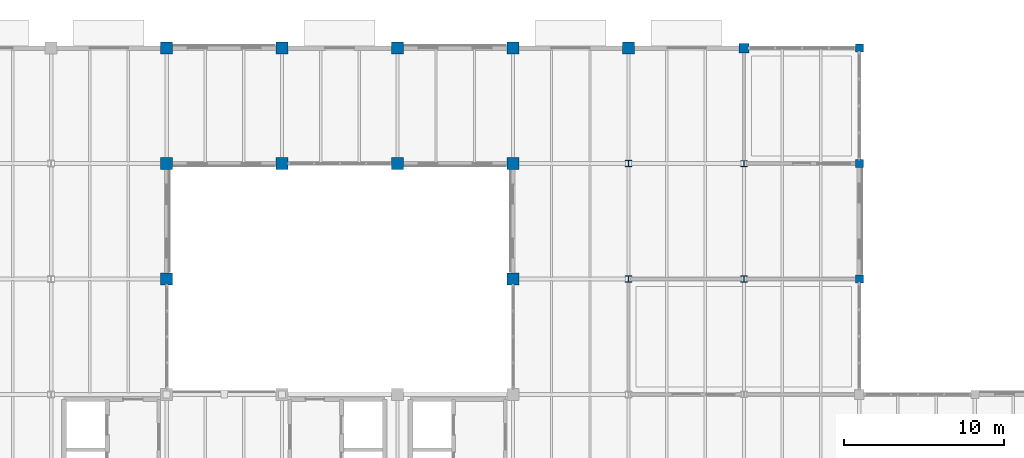
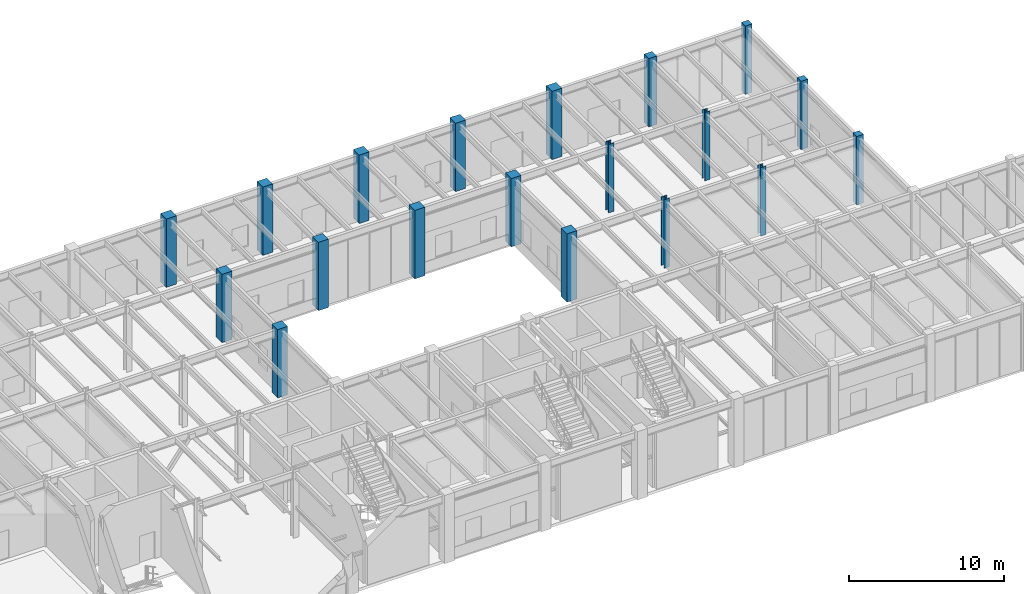
# One storey, part 14 of 97: 19 columns.
"""IFC4 building model written with IfcOpenShell, lengths in metres."""

import ifcopenshell
import ifcopenshell.guid

model = None  # the IFC model being written
_history = None  # IfcOwnerHistory: only IFC2X3 demands one
_inside = {}  # id of a spatial element -> (the spatial element, [elements in it])
_under = {}  # id of a project, library or spatial element -> (it, [spatial elements below it])
_declared = {}  # id of a project -> (the project, [libraries it declares])
_typed = {}  # id of a type object -> (the type object, [elements of that type])
_made_of = {}  # id of a material, layer set ... -> (it, [elements and type objects made of it])


def new_model(schema):
    """Start an empty IFC model of exactly this schema.

    Asked for "IFC4X3", IfcOpenShell would pick the latest addendum, in which some entities
    have other attributes; the version numbers below select the first issue.
    IFC2X3 requires an IfcOwnerHistory on every rooted entity: one is made here for all.
    """
    global model, _history
    if schema == "IFC4X3":
        model = ifcopenshell.file(schema_version=(4, 3, 0, 0))
    else:
        model = ifcopenshell.file(schema=schema)
    _inside.clear()
    _under.clear()
    _declared.clear()
    _typed.clear()
    _made_of.clear()
    _history = None
    if model.schema == "IFC2X3":
        org = make("IfcOrganization", Name="unknown")
        user = make(
            "IfcPersonAndOrganization",
            ThePerson=make("IfcPerson", FamilyName="unknown"),
            TheOrganization=org,
        )
        app = make(
            "IfcApplication",
            ApplicationDeveloper=org,
            Version="unknown",
            ApplicationFullName="unknown",
            ApplicationIdentifier="unknown",
        )
        _history = make(
            "IfcOwnerHistory",
            OwningUser=user,
            OwningApplication=app,
            ChangeAction="ADDED",
            CreationDate=0,
        )
    return model


def make(cls, **values):
    """One entity of the class cls with the attributes given. An attribute that is None is left unset."""
    return model.create_entity(
        cls, **{name: value for name, value in values.items() if value is not None}
    )


def rooted(cls, **values):
    """An entity with a GlobalId (a new one), such as an element, a storey or a relation."""
    return make(cls, GlobalId=ifcopenshell.guid.new(), OwnerHistory=_history, **values)


def si_unit(unit_type, name, prefix=None):
    """IfcSIUnit, for example si_unit("LENGTHUNIT", "METRE", prefix="MILLI")."""
    return make("IfcSIUnit", UnitType=unit_type, Prefix=prefix, Name=name)


def assignment(units):
    """IfcUnitAssignment: the units of a project."""
    return None if units is None else make("IfcUnitAssignment", Units=units)


def point(xyz):
    """IfcCartesianPoint."""
    return None if xyz is None else make("IfcCartesianPoint", Coordinates=xyz)


def direction(xyz):
    """IfcDirection."""
    return None if xyz is None else make("IfcDirection", DirectionRatios=xyz)


def frame(location, z_axis=None, x_axis=None):
    """IfcAxis2Placement3D, a coordinate frame: its origin and axes. An axis left out is left unset."""
    return make(
        "IfcAxis2Placement3D",
        Location=point(location),
        Axis=direction(z_axis),
        RefDirection=direction(x_axis),
    )


def frame_2d(location, x_axis=None):
    """IfcAxis2Placement2D, a coordinate frame in the plane: its origin and x axis."""
    return make(
        "IfcAxis2Placement2D", Location=point(location), RefDirection=direction(x_axis)
    )


def origin():
    """The frame at (0, 0, 0) with its axes left unset."""
    return frame((0.0, 0.0, 0.0))


def origin_2d():
    """The frame at (0, 0) in the plane with its x axis left unset."""
    return frame_2d((0.0, 0.0))


def place(relative_to, where):
    """IfcLocalPlacement: puts the frame where relative to a parent placement (None: the world)."""
    return make(
        "IfcLocalPlacement", PlacementRelTo=relative_to, RelativePlacement=where
    )


def context(
    kind, dimensions, precision=None, world=None, true_north=None, identifier=None
):
    """IfcGeometricRepresentationContext, for example the 3D "Model" context."""
    return make(
        "IfcGeometricRepresentationContext",
        ContextIdentifier=identifier,
        ContextType=kind,
        CoordinateSpaceDimension=dimensions,
        Precision=precision,
        WorldCoordinateSystem=world,
        TrueNorth=true_north,
    )


def subcontext(parent, identifier, kind, view, scale=None):
    """IfcGeometricRepresentationSubContext, for example "Body" below "Model"."""
    return make(
        "IfcGeometricRepresentationSubContext",
        ContextIdentifier=identifier,
        ContextType=kind,
        ParentContext=parent,
        TargetScale=scale,
        TargetView=view,
    )


def project(units=None, contexts=None):
    """IfcProject with its units and contexts."""
    return rooted(
        "IfcProject",
        Name="project",
        RepresentationContexts=contexts,
        UnitsInContext=assignment(units),
    )


def spatial(cls, under=None, at=None, **own):
    """A site, building, storey or space (cls), placed at a placement, below another one or the project."""
    s = rooted(cls, ObjectPlacement=at, **own)
    if under is not None:
        _under.setdefault(under.id(), (under, []))[1].append(s)
    return s


def profile(cls, at=None, kind="AREA", **sizes):
    """A parametric profile (cls). Its sizes go by their IFC names, for example OverallWidth=200.0."""
    return make(cls, ProfileType=kind, Position=at, **sizes)


def rectangle(**sizes):
    """IfcRectangleProfileDef."""
    return profile("IfcRectangleProfileDef", **sizes)


def i_section(**sizes):
    """IfcIShapeProfileDef."""
    return profile("IfcIShapeProfileDef", **sizes)


def extrude(swept, where, along, depth):
    """IfcExtrudedAreaSolid: the profile swept, set in the frame where, extruded along a direction by depth."""
    return make(
        "IfcExtrudedAreaSolid",
        SweptArea=swept,
        Position=where,
        ExtrudedDirection=direction(along),
        Depth=depth,
    )


def shape(context_of_items, identifier, shape_type, items):
    """IfcShapeRepresentation: the items that make up one representation, for example the "Body"."""
    return make(
        "IfcShapeRepresentation",
        ContextOfItems=context_of_items,
        RepresentationIdentifier=identifier,
        RepresentationType=shape_type,
        Items=items,
    )


def material(Name=None, Category=None):
    """IfcMaterial."""
    return make("IfcMaterial", Name=Name, Category=Category)


def material_profile(
    of_material, cross_section, Name=None, Category=None, Priority=None
):
    """IfcMaterialProfile: a cross section and its material."""
    return make(
        "IfcMaterialProfile",
        Name=Name,
        Material=of_material,
        Profile=cross_section,
        Priority=Priority,
        Category=Category,
    )


def profile_set(profiles, Name=None, composite=None):
    """IfcMaterialProfileSet."""
    return make(
        "IfcMaterialProfileSet",
        Name=Name,
        MaterialProfiles=profiles,
        CompositeProfile=composite,
    )


def made_of(thing, what):
    """Note that an element or type object is made of a material, layer set ...; save() writes the relation."""
    if what is not None:
        _made_of.setdefault(what.id(), (what, []))[1].append(thing)
    return thing


def type_object(cls, material=None, **own):
    """A type object (cls), such as IfcWallType, which elements share."""
    return made_of(rooted(cls, **own), material)


def element(
    cls,
    number,
    at=None,
    inside=None,
    cuts=None,
    type_object=None,
    material=None,
    context=None,
    identifier="Body",
    shape_type=None,
    held_by="IfcProductDefinitionShape",
    body=None,
    shapes=None,
    **own,
):
    """One element of the class cls, such as IfcWall. Its Tag is "e" and its number.

    at: its placement. inside: the storey or other place that contains it. cuts: it is an
    opening in that element (IfcRelVoidsElement). A single representation is given by context,
    identifier, shape_type and body (its items); several are given by shapes. held_by: the class
    of the entity that holds the representations. save() writes the other relations.
    """
    e = rooted(cls, Tag="e%d" % number, ObjectPlacement=at, **own)
    if body is not None:
        shapes = [shape(context, identifier, shape_type, body)]
    if shapes is not None:
        e.Representation = make(held_by, Representations=shapes)
    if inside is not None:
        _inside.setdefault(inside.id(), (inside, []))[1].append(e)
    if cuts is not None:
        rooted(
            "IfcRelVoidsElement", RelatingBuildingElement=cuts, RelatedOpeningElement=e
        )
    if type_object is not None:
        _typed.setdefault(type_object.id(), (type_object, []))[1].append(e)
    return made_of(e, material)


def aggregate(whole, parts):
    """IfcRelAggregates: a whole, such as a stair, and the parts it consists of."""
    return rooted("IfcRelAggregates", RelatingObject=whole, RelatedObjects=parts)


def save(model, path):
    """Write the relations noted so far, then the file.

    IfcRelAggregates (storeys below a building ...), IfcRelContainedInSpatialStructure (elements
    in a storey), IfcRelDefinesByType, IfcRelAssociatesMaterial and IfcRelDeclares: one each for
    every whole, place, type object, material and project.
    """
    for whole, parts in _under.values():
        aggregate(whole, parts)
    for where, things in _inside.values():
        rooted(
            "IfcRelContainedInSpatialStructure",
            RelatedElements=things,
            RelatingStructure=where,
        )
    for kind, things in _typed.values():
        rooted("IfcRelDefinesByType", RelatedObjects=things, RelatingType=kind)
    for what, things in _made_of.values():
        rooted("IfcRelAssociatesMaterial", RelatedObjects=things, RelatingMaterial=what)
    for by, libraries in _declared.values():
        rooted("IfcRelDeclares", RelatingContext=by, RelatedDefinitions=libraries)
    model.write(path)


model = new_model("IFC4")

# Units and contexts
model_context = context("Model", 3, precision=1e-05, world=origin(), true_north=direction((0.0, 1.0)))
body_context = subcontext(model_context, "Body", "Model", "MODEL_VIEW")
ifc_project = project(units=[si_unit("LENGTHUNIT", "METRE"), si_unit("AREAUNIT", "SQUARE_METRE"), si_unit("VOLUMEUNIT", "CUBIC_METRE"), si_unit("PLANEANGLEUNIT", "RADIAN"), si_unit("MASSUNIT", "GRAM", prefix="KILO")], contexts=[model_context])

# Site, building, storey
site_placement = place(None, origin())
site = spatial("IfcSite", under=ifc_project, at=site_placement, CompositionType="ELEMENT")
building_placement = place(site_placement, origin())
building = spatial("IfcBuilding", under=site, at=building_placement, Name="Sillqori Civic Hall", CompositionType="ELEMENT")
storey_placement = place(building_placement, origin())
storey = spatial("IfcBuildingStorey", under=building, at=storey_placement, Name="L01", CompositionType="ELEMENT", Elevation=0.0)

# Columns
ifc_material_1 = material(Name="Concrete C35/45 (H35)", Category="concrete")
ifc_material_profile_1 = material_profile(ifc_material_1, rectangle(XDim=0.5, YDim=0.5, at=origin_2d()), Name="RC 500x500")
ifc_profile_set_1 = profile_set([ifc_material_profile_1], Name="Concrete C35/45 (H35)")
column_type_1 = type_object("IfcColumnType", Name="COL-RC500", PredefinedType="COLUMN", material=ifc_profile_set_1)
for number, where, z_axis, x_axis, name in (
    (1, (115.199951171875, 100.800048828125, 0.0), (0.0, 0.0, 1.0), (1.0, 0.0, 0.0), "L01 column 16-14"),
    (2, (115.199951171875, 108.0, 0.0), (0.0, 0.0, 1.0), (1.0, 0.0, 0.0), "L01 column 16-15"),
    (3, (115.199951171875, 115.199951171875, 0.0), (0.0, 0.0, 1.0), (1.0, 0.0, 0.0), "L01 column 16-16"),
):
    element("IfcColumn", number, at=place(storey_placement, frame(where, z_axis=z_axis, x_axis=x_axis)), inside=storey, type_object=column_type_1, Name=name, PredefinedType="COLUMN", context=body_context, shape_type="SweptSolid", body=[
        extrude(rectangle(XDim=0.5, YDim=0.5, at=origin_2d()), origin(), (0.0, 0.0, 1.0), 5.39990234375),
    ])
ifc_material_profile_2 = material_profile(ifc_material_1, rectangle(XDim=0.60009765625, YDim=0.60009765625, at=origin_2d()), Name="RC 600x600")
ifc_profile_set_2 = profile_set([ifc_material_profile_2], Name="Concrete C35/45 (H35)")
column_type_2 = type_object("IfcColumnType", Name="COL-RC600", PredefinedType="COLUMN", material=ifc_profile_set_2)
column_placement = place(storey_placement, frame((108.0, 115.199951171875, 0.0), z_axis=(0.0, 0.0, 1.0), x_axis=(1.0, 0.0, 0.0)))
element("IfcColumn", 4, at=column_placement, inside=storey, type_object=column_type_2, Name="L01 column 15-16", PredefinedType="COLUMN", context=body_context, shape_type="SweptSolid", body=[
    extrude(rectangle(XDim=0.60009765625, YDim=0.60009765625, at=origin_2d()), origin(), (0.0, 0.0, 1.0), 5.39990234375),
])
ifc_material_profile_3 = material_profile(ifc_material_1, rectangle(XDim=0.75, YDim=0.75, at=origin_2d()), Name="RC 750x750")
ifc_profile_set_3 = profile_set([ifc_material_profile_3], Name="Concrete C35/45 (H35)")
column_type_3 = type_object("IfcColumnType", Name="COL-RC750", PredefinedType="COLUMN", material=ifc_profile_set_3)
for number, where, z_axis, x_axis, name in (
    (5, (72.0, 100.800048828125, 0.0), (0.0, 0.0, 1.0), (1.0, 0.0, 0.0), "L01 column 10-14"),
    (6, (72.0, 108.0, 0.0), (0.0, 0.0, 1.0), (1.0, 0.0, 0.0), "L01 column 10-15"),
    (7, (72.0, 115.199951171875, 0.0), (0.0, 0.0, 1.0), (1.0, 0.0, 0.0), "L01 column 10-16"),
    (8, (79.199951171875, 108.0, 0.0), (0.0, 0.0, 1.0), (1.0, 0.0, 0.0), "L01 column 11-15"),
    (9, (79.199951171875, 115.199951171875, 0.0), (0.0, 0.0, 1.0), (1.0, 0.0, 0.0), "L01 column 11-16"),
    (10, (86.39990234375, 108.0, 0.0), (0.0, 0.0, 1.0), (1.0, 0.0, 0.0), "L01 column 12-15"),
    (11, (86.39990234375, 115.199951171875, 0.0), (0.0, 0.0, 1.0), (1.0, 0.0, 0.0), "L01 column 12-16"),
    (12, (93.60009765625, 100.800048828125, 0.0), (0.0, 0.0, 1.0), (1.0, 0.0, 0.0), "L01 column 13-14"),
    (13, (93.60009765625, 108.0, 0.0), (0.0, 0.0, 1.0), (1.0, 0.0, 0.0), "L01 column 13-15"),
    (14, (93.60009765625, 115.199951171875, 0.0), (0.0, 0.0, 1.0), (1.0, 0.0, 0.0), "L01 column 13-16"),
    (15, (100.800048828125, 115.199951171875, 0.0), (0.0, 0.0, 1.0), (1.0, 0.0, 0.0), "L01 column 14-16"),
):
    element("IfcColumn", number, at=place(storey_placement, frame(where, z_axis=z_axis, x_axis=x_axis)), inside=storey, type_object=column_type_3, Name=name, PredefinedType="COLUMN", context=body_context, shape_type="SweptSolid", body=[
        extrude(rectangle(XDim=0.75, YDim=0.75, at=origin_2d()), origin(), (0.0, 0.0, 1.0), 5.39990234375),
    ])
ifc_material_2 = material(Name="Steel ASTM A992", Category="steel")
ifc_material_profile_4 = material_profile(ifc_material_2, i_section(OverallWidth=0.39404296875, OverallDepth=0.3759765625, WebThickness=0.017333984375, FlangeThickness=0.027587890625, FilletRadius=0.014892578125, at=origin_2d()), Name="W14X145")
ifc_profile_set_4 = profile_set([ifc_material_profile_4], Name="Steel ASTM A992")
column_type_4 = type_object("IfcColumnType", Name="COL-W14X145", PredefinedType="COLUMN", material=ifc_profile_set_4)
for number, where, z_axis, x_axis, name in (
    (16, (108.0, 100.800048828125, 0.0), (0.0, 0.0, 1.0), (1.0, 0.0, 0.0), "L01 column 15-14"),
    (17, (108.0, 108.0, 0.0), (0.0, 0.0, 1.0), (1.0, 0.0, 0.0), "L01 column 15-15"),
):
    element("IfcColumn", number, at=place(storey_placement, frame(where, z_axis=z_axis, x_axis=x_axis)), inside=storey, type_object=column_type_4, Name=name, PredefinedType="COLUMN", context=body_context, shape_type="SweptSolid", body=[
        extrude(i_section(OverallWidth=0.39404296875, OverallDepth=0.3759765625, WebThickness=0.017333984375, FlangeThickness=0.027587890625, FilletRadius=0.014892578125, at=origin_2d()), origin(), (0.0, 0.0, 1.0), 5.39990234375),
    ])
ifc_material_profile_5 = material_profile(ifc_material_2, i_section(OverallWidth=0.404052734375, OverallDepth=0.406005859375, WebThickness=0.027099609375, FlangeThickness=0.043701171875, FilletRadius=0.014892578125, at=origin_2d()), Name="W14X233")
ifc_profile_set_5 = profile_set([ifc_material_profile_5], Name="Steel ASTM A992")
column_type_5 = type_object("IfcColumnType", Name="COL-W14X233", PredefinedType="COLUMN", material=ifc_profile_set_5)
for number, where, z_axis, x_axis, name in (
    (18, (100.800048828125, 100.800048828125, 0.0), (0.0, 0.0, 1.0), (1.0, 0.0, 0.0), "L01 column 14-14"),
    (19, (100.800048828125, 108.0, 0.0), (0.0, 0.0, 1.0), (1.0, 0.0, 0.0), "L01 column 14-15"),
):
    element("IfcColumn", number, at=place(storey_placement, frame(where, z_axis=z_axis, x_axis=x_axis)), inside=storey, type_object=column_type_5, Name=name, PredefinedType="COLUMN", context=body_context, shape_type="SweptSolid", body=[
        extrude(i_section(OverallWidth=0.404052734375, OverallDepth=0.406005859375, WebThickness=0.027099609375, FlangeThickness=0.043701171875, FilletRadius=0.014892578125, at=origin_2d()), origin(), (0.0, 0.0, 1.0), 5.39990234375),
    ])

save(model, "model.ifc")
